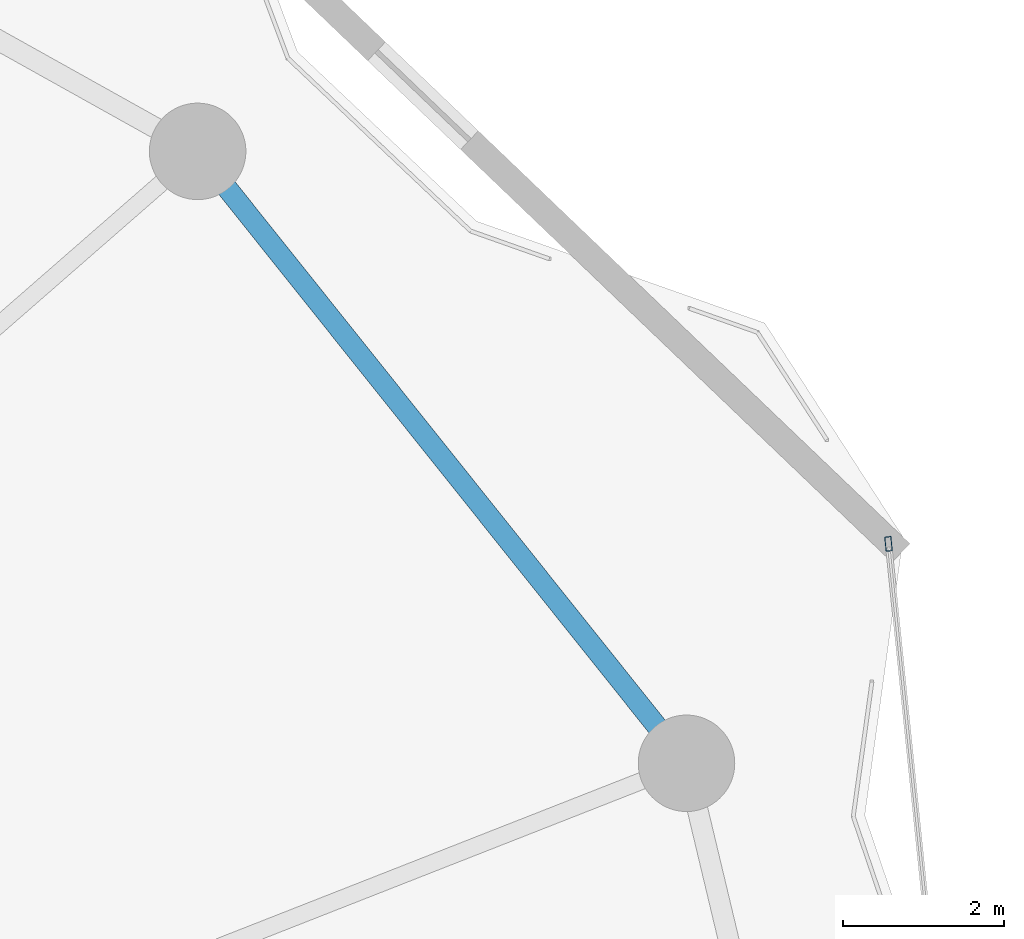
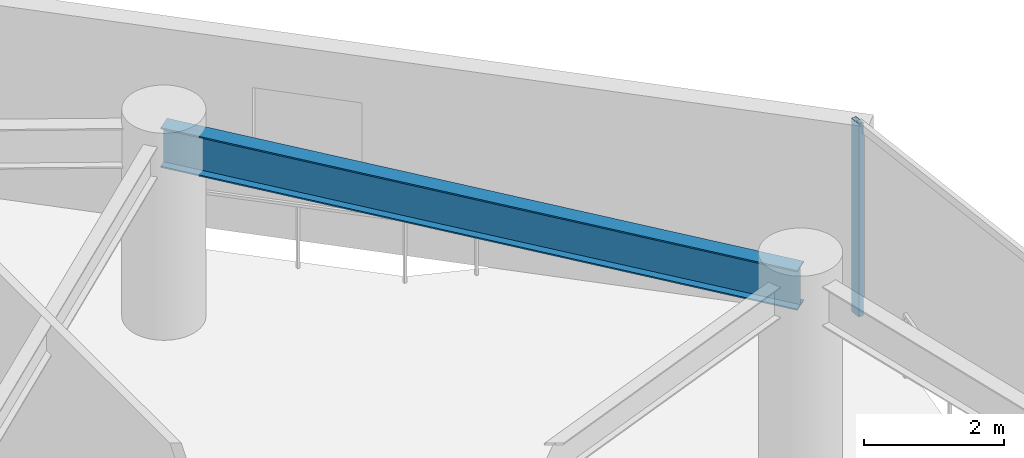
# One storey, part 23 of 30: 1 beam, 1 member, 1 element without a shape of its own.
"""IFC4 building model written with IfcOpenShell, lengths in metres."""

import ifcopenshell
import ifcopenshell.guid

model = None  # the IFC model being written
_history = None  # IfcOwnerHistory: only IFC2X3 demands one
_inside = {}  # id of a spatial element -> (the spatial element, [elements in it])
_under = {}  # id of a project, library or spatial element -> (it, [spatial elements below it])
_declared = {}  # id of a project -> (the project, [libraries it declares])
_typed = {}  # id of a type object -> (the type object, [elements of that type])
_made_of = {}  # id of a material, layer set ... -> (it, [elements and type objects made of it])


def new_model(schema):
    """Start an empty IFC model of exactly this schema.

    Asked for "IFC4X3", IfcOpenShell would pick the latest addendum, in which some entities
    have other attributes; the version numbers below select the first issue.
    IFC2X3 requires an IfcOwnerHistory on every rooted entity: one is made here for all.
    """
    global model, _history
    if schema == "IFC4X3":
        model = ifcopenshell.file(schema_version=(4, 3, 0, 0))
    else:
        model = ifcopenshell.file(schema=schema)
    _inside.clear()
    _under.clear()
    _declared.clear()
    _typed.clear()
    _made_of.clear()
    _history = None
    if model.schema == "IFC2X3":
        org = make("IfcOrganization", Name="unknown")
        user = make(
            "IfcPersonAndOrganization",
            ThePerson=make("IfcPerson", FamilyName="unknown"),
            TheOrganization=org,
        )
        app = make(
            "IfcApplication",
            ApplicationDeveloper=org,
            Version="unknown",
            ApplicationFullName="unknown",
            ApplicationIdentifier="unknown",
        )
        _history = make(
            "IfcOwnerHistory",
            OwningUser=user,
            OwningApplication=app,
            ChangeAction="ADDED",
            CreationDate=0,
        )
    return model


def make(cls, **values):
    """One entity of the class cls with the attributes given. An attribute that is None is left unset."""
    return model.create_entity(
        cls, **{name: value for name, value in values.items() if value is not None}
    )


def rooted(cls, **values):
    """An entity with a GlobalId (a new one), such as an element, a storey or a relation."""
    return make(cls, GlobalId=ifcopenshell.guid.new(), OwnerHistory=_history, **values)


def si_unit(unit_type, name, prefix=None):
    """IfcSIUnit, for example si_unit("LENGTHUNIT", "METRE", prefix="MILLI")."""
    return make("IfcSIUnit", UnitType=unit_type, Prefix=prefix, Name=name)


def assignment(units):
    """IfcUnitAssignment: the units of a project."""
    return None if units is None else make("IfcUnitAssignment", Units=units)


def point(xyz):
    """IfcCartesianPoint."""
    return None if xyz is None else make("IfcCartesianPoint", Coordinates=xyz)


def direction(xyz):
    """IfcDirection."""
    return None if xyz is None else make("IfcDirection", DirectionRatios=xyz)


def frame(location, z_axis=None, x_axis=None):
    """IfcAxis2Placement3D, a coordinate frame: its origin and axes. An axis left out is left unset."""
    return make(
        "IfcAxis2Placement3D",
        Location=point(location),
        Axis=direction(z_axis),
        RefDirection=direction(x_axis),
    )


def frame_2d(location, x_axis=None):
    """IfcAxis2Placement2D, a coordinate frame in the plane: its origin and x axis."""
    return make(
        "IfcAxis2Placement2D", Location=point(location), RefDirection=direction(x_axis)
    )


def origin():
    """The frame at (0, 0, 0) with its axes left unset."""
    return frame((0.0, 0.0, 0.0))


def origin_2d():
    """The frame at (0, 0) in the plane with its x axis left unset."""
    return frame_2d((0.0, 0.0))


def place(relative_to, where):
    """IfcLocalPlacement: puts the frame where relative to a parent placement (None: the world)."""
    return make(
        "IfcLocalPlacement", PlacementRelTo=relative_to, RelativePlacement=where
    )


def context(
    kind, dimensions, precision=None, world=None, true_north=None, identifier=None
):
    """IfcGeometricRepresentationContext, for example the 3D "Model" context."""
    return make(
        "IfcGeometricRepresentationContext",
        ContextIdentifier=identifier,
        ContextType=kind,
        CoordinateSpaceDimension=dimensions,
        Precision=precision,
        WorldCoordinateSystem=world,
        TrueNorth=true_north,
    )


def subcontext(parent, identifier, kind, view, scale=None):
    """IfcGeometricRepresentationSubContext, for example "Body" below "Model"."""
    return make(
        "IfcGeometricRepresentationSubContext",
        ContextIdentifier=identifier,
        ContextType=kind,
        ParentContext=parent,
        TargetScale=scale,
        TargetView=view,
    )


def project(units=None, contexts=None):
    """IfcProject with its units and contexts."""
    return rooted(
        "IfcProject",
        Name="project",
        RepresentationContexts=contexts,
        UnitsInContext=assignment(units),
    )


def spatial(cls, under=None, at=None, **own):
    """A site, building, storey or space (cls), placed at a placement, below another one or the project."""
    s = rooted(cls, ObjectPlacement=at, **own)
    if under is not None:
        _under.setdefault(under.id(), (under, []))[1].append(s)
    return s


def profile(cls, at=None, kind="AREA", **sizes):
    """A parametric profile (cls). Its sizes go by their IFC names, for example OverallWidth=200.0."""
    return make(cls, ProfileType=kind, Position=at, **sizes)


def hollow_rectangle(**sizes):
    """IfcRectangleHollowProfileDef."""
    return profile("IfcRectangleHollowProfileDef", **sizes)


def i_section(**sizes):
    """IfcIShapeProfileDef."""
    return profile("IfcIShapeProfileDef", **sizes)


def extrude(swept, where, along, depth):
    """IfcExtrudedAreaSolid: the profile swept, set in the frame where, extruded along a direction by depth."""
    return make(
        "IfcExtrudedAreaSolid",
        SweptArea=swept,
        Position=where,
        ExtrudedDirection=direction(along),
        Depth=depth,
    )


def shape(context_of_items, identifier, shape_type, items):
    """IfcShapeRepresentation: the items that make up one representation, for example the "Body"."""
    return make(
        "IfcShapeRepresentation",
        ContextOfItems=context_of_items,
        RepresentationIdentifier=identifier,
        RepresentationType=shape_type,
        Items=items,
    )


def material(Name=None, Category=None):
    """IfcMaterial."""
    return make("IfcMaterial", Name=Name, Category=Category)


def layer(
    of_material, thickness, ventilated=None, Name=None, Category=None, Priority=None
):
    """IfcMaterialLayer: one layer of a wall or slab, of a material (None: an air gap)."""
    return make(
        "IfcMaterialLayer",
        Material=of_material,
        LayerThickness=thickness,
        IsVentilated=ventilated,
        Name=Name,
        Category=Category,
        Priority=Priority,
    )


def layer_set(layers, Name=None):
    """IfcMaterialLayerSet."""
    return make("IfcMaterialLayerSet", MaterialLayers=layers, LayerSetName=Name)


def material_profile(
    of_material, cross_section, Name=None, Category=None, Priority=None
):
    """IfcMaterialProfile: a cross section and its material."""
    return make(
        "IfcMaterialProfile",
        Name=Name,
        Material=of_material,
        Profile=cross_section,
        Priority=Priority,
        Category=Category,
    )


def profile_set(profiles, Name=None, composite=None):
    """IfcMaterialProfileSet."""
    return make(
        "IfcMaterialProfileSet",
        Name=Name,
        MaterialProfiles=profiles,
        CompositeProfile=composite,
    )


def made_of(thing, what):
    """Note that an element or type object is made of a material, layer set ...; save() writes the relation."""
    if what is not None:
        _made_of.setdefault(what.id(), (what, []))[1].append(thing)
    return thing


def type_object(cls, material=None, **own):
    """A type object (cls), such as IfcWallType, which elements share."""
    return made_of(rooted(cls, **own), material)


def element(
    cls,
    number,
    at=None,
    inside=None,
    cuts=None,
    type_object=None,
    material=None,
    context=None,
    identifier="Body",
    shape_type=None,
    held_by="IfcProductDefinitionShape",
    body=None,
    shapes=None,
    **own,
):
    """One element of the class cls, such as IfcWall. Its Tag is "e" and its number.

    at: its placement. inside: the storey or other place that contains it. cuts: it is an
    opening in that element (IfcRelVoidsElement). A single representation is given by context,
    identifier, shape_type and body (its items); several are given by shapes. held_by: the class
    of the entity that holds the representations. save() writes the other relations.
    """
    e = rooted(cls, Tag="e%d" % number, ObjectPlacement=at, **own)
    if body is not None:
        shapes = [shape(context, identifier, shape_type, body)]
    if shapes is not None:
        e.Representation = make(held_by, Representations=shapes)
    if inside is not None:
        _inside.setdefault(inside.id(), (inside, []))[1].append(e)
    if cuts is not None:
        rooted(
            "IfcRelVoidsElement", RelatingBuildingElement=cuts, RelatedOpeningElement=e
        )
    if type_object is not None:
        _typed.setdefault(type_object.id(), (type_object, []))[1].append(e)
    return made_of(e, material)


def aggregate(whole, parts):
    """IfcRelAggregates: a whole, such as a stair, and the parts it consists of."""
    return rooted("IfcRelAggregates", RelatingObject=whole, RelatedObjects=parts)


def save(model, path):
    """Write the relations noted so far, then the file.

    IfcRelAggregates (storeys below a building ...), IfcRelContainedInSpatialStructure (elements
    in a storey), IfcRelDefinesByType, IfcRelAssociatesMaterial and IfcRelDeclares: one each for
    every whole, place, type object, material and project.
    """
    for whole, parts in _under.values():
        aggregate(whole, parts)
    for where, things in _inside.values():
        rooted(
            "IfcRelContainedInSpatialStructure",
            RelatedElements=things,
            RelatingStructure=where,
        )
    for kind, things in _typed.values():
        rooted("IfcRelDefinesByType", RelatedObjects=things, RelatingType=kind)
    for what, things in _made_of.values():
        rooted("IfcRelAssociatesMaterial", RelatedObjects=things, RelatingMaterial=what)
    for by, libraries in _declared.values():
        rooted("IfcRelDeclares", RelatingContext=by, RelatedDefinitions=libraries)
    model.write(path)


model = new_model("IFC4")

# Units and contexts
model_context = context("Model", 3, precision=1e-05, world=origin(), true_north=direction((0.0, 1.0)))
body_context = subcontext(model_context, "Body", "Model", "MODEL_VIEW")
ifc_project = project(units=[si_unit("LENGTHUNIT", "METRE"), si_unit("AREAUNIT", "SQUARE_METRE"), si_unit("VOLUMEUNIT", "CUBIC_METRE"), si_unit("PLANEANGLEUNIT", "RADIAN"), si_unit("MASSUNIT", "GRAM", prefix="KILO")], contexts=[model_context])

# Site, building, storey
site_placement = place(None, origin())
site = spatial("IfcSite", under=ifc_project, at=site_placement, CompositionType="ELEMENT")
building_placement = place(site_placement, origin())
building = spatial("IfcBuilding", under=site, at=building_placement, Name="Kazevale Care Tower and Concert Hall", CompositionType="ELEMENT")
storey_placement = place(building_placement, frame((0.0, 0.0, 131.39990234375)))
storey = spatial("IfcBuildingStorey", under=building, at=storey_placement, Name="L34", CompositionType="ELEMENT", Elevation=131.39990234375)

# Curtain wall, member
ifc_material_1 = material(Name="Aluminium 6063-T6 and Low-E Glass", Category="aluminium")
ifc_layer = layer(ifc_material_1, 0.179931640625)
ifc_layer_set = layer_set([ifc_layer], Name="Aluminium 6063-T6 and Low-E Glass")
curtain_wall_type = type_object("IfcCurtainWallType", Name="Waist & Upper Residential Curtain Wall CW-4", PredefinedType="NOTDEFINED", material=ifc_layer_set)
curtain_wall_placement = place(storey_placement, origin())
curtain_wall = element("IfcCurtainWall", 1, at=curtain_wall_placement, inside=storey, type_object=curtain_wall_type, Name="cw:L34:f18", PredefinedType="NOTDEFINED")
ifc_material_2 = material(Name="Aluminium 6063-T6", Category="aluminium")
ifc_material_profile_1 = material_profile(ifc_material_2, hollow_rectangle(XDim=0.080078125, YDim=0.179931640625, WallThickness=0.0048828125, at=origin_2d()), Name="ALU80x180x5")
ifc_profile_set_1 = profile_set([ifc_material_profile_1], Name="Aluminium 6063-T6")
member_type = type_object("IfcMemberType", Name="CW-4 Mullion ALU80x180x5", PredefinedType="MULLION", material=ifc_profile_set_1)
member_placement = place(storey_placement, frame((73.422119140625, 49.6982421875, 0.0), z_axis=(0.0, 0.0, 1.0), x_axis=(0.994797747326, 0.101869730126, 0.0)))
member = element("IfcMember", 2, at=member_placement, type_object=member_type, Name="CW-4 mullion 1", PredefinedType="MULLION", context=body_context, shape_type="SweptSolid", body=[
    extrude(hollow_rectangle(XDim=0.080078125, YDim=0.179931640625, WallThickness=0.0048828125, at=origin_2d()), origin(), (0.0, 0.0, 1.0), 3.360107421875),
])
aggregate(curtain_wall, [member])

# Beam
ifc_material_3 = material(Name="Steel ASTM A572 Gr 50", Category="steel")
ifc_material_profile_2 = material_profile(ifc_material_3, i_section(OverallWidth=0.256103515625, OverallDepth=0.693115234375, WebThickness=0.014404296875, FlangeThickness=0.023681640625, at=origin_2d()), Name="W690x170")
ifc_profile_set_2 = profile_set([ifc_material_profile_2], Name="Steel ASTM A572 Gr 50")
beam_type = type_object("IfcBeamType", Name="Waist Ring Beam W690x170", PredefinedType="BEAM", material=ifc_profile_set_2)
beam_placement = place(storey_placement, frame((70.909912109375, 46.969970703125, 3.013671875), z_axis=(-0.624178340034, 0.781281895242, 0.0), x_axis=(-0.781281895242, -0.624178340034, 0.0)))
element("IfcBeam", 3, at=beam_placement, inside=storey, type_object=beam_type, Name="beam:L34:ring:02", PredefinedType="BEAM", context=body_context, shape_type="SweptSolid", body=[
    extrude(i_section(OverallWidth=0.256103515625, OverallDepth=0.693115234375, WebThickness=0.014404296875, FlangeThickness=0.023681640625, at=origin_2d()), origin(), (0.0, 0.0, 1.0), 9.740478515625),
])

save(model, "model.ifc")
